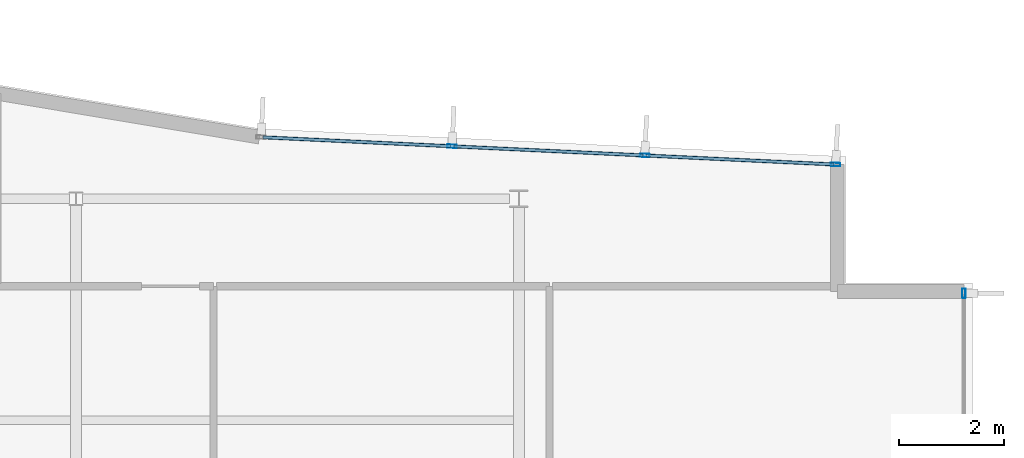
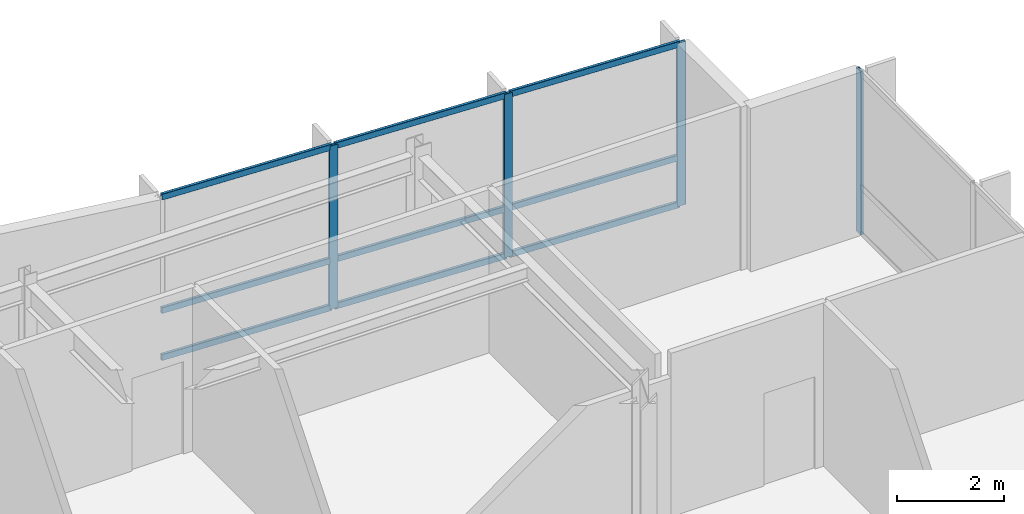
# One storey, part 9 of 16: 13 members, 2 elements without a shape of their own.
"""IFC4 building model written with IfcOpenShell, lengths in metres."""

from ifc_helpers import new_model, si_unit, direction, frame, origin, origin_2d, place, context, subcontext, project, spatial, hollow_rectangle, extrude, material, layer, layer_set, material_profile, profile_set, type_object, element, aggregate, save


model = new_model("IFC4")

# Units and contexts
model_context = context("Model", 3, precision=1e-05, world=origin(), true_north=direction((0.0, 1.0)))
body_context = subcontext(model_context, "Body", "Model", "MODEL_VIEW")
ifc_project = project(units=[si_unit("LENGTHUNIT", "METRE"), si_unit("AREAUNIT", "SQUARE_METRE"), si_unit("VOLUMEUNIT", "CUBIC_METRE"), si_unit("PLANEANGLEUNIT", "RADIAN"), si_unit("MASSUNIT", "GRAM", prefix="KILO")], contexts=[model_context])

# Site, building, storey
site_placement = place(None, origin())
site = spatial("IfcSite", under=ifc_project, at=site_placement, CompositionType="ELEMENT")
building_placement = place(site_placement, origin())
building = spatial("IfcBuilding", under=site, at=building_placement, Name="Varnakote Quay Hospital", CompositionType="ELEMENT")
storey_placement = place(building_placement, frame((0.0, 0.0, 268.39990234375)))
storey = spatial("IfcBuildingStorey", under=building, at=storey_placement, Name="L66", CompositionType="ELEMENT", Elevation=268.39990234375)

# Curtain wall, member
ifc_material_1 = material(Name="Anodised aluminium 6063-T6 Bronze", Category="aluminium")
ifc_layer = layer(ifc_material_1, 0.235107421875)
ifc_layer_set = layer_set([ifc_layer], Name="Anodised aluminium 6063-T6 Bronze")
curtain_wall_type = type_object("IfcCurtainWallType", Name="CW-SYS-5", PredefinedType="NOTDEFINED", material=ifc_layer_set)
curtain_wall_1_placement = place(storey_placement, origin())
curtain_wall_1 = element("IfcCurtainWall", 1, at=curtain_wall_1_placement, inside=storey, type_object=curtain_wall_type, Name="L66 Unitised Bronze Curtain Wall 1", PredefinedType="NOTDEFINED")
ifc_material_2 = material(Name="Anodised aluminium 6063-T6 Bronze", Category="aluminium")
ifc_material_profile_1 = material_profile(ifc_material_2, hollow_rectangle(XDim=0.06494140625, YDim=0.179931640625, WallThickness=0.00390625, InnerFilletRadius=0.00390625, OuterFilletRadius=0.008056640625, at=origin_2d()), Name="CW-MULL-180x65")
ifc_profile_set_1 = profile_set([ifc_material_profile_1], Name="Anodised aluminium 6063-T6 Bronze")
member_type_1 = type_object("IfcMemberType", Name="CW-MULL-180x65", PredefinedType="MULLION", material=ifc_profile_set_1)
member_1_placement = place(storey_placement, frame((42.0400390625, 27.007568359375, 0.0), z_axis=(0.0, 0.0, 1.0), x_axis=(-1.0, 0.0, 0.0)))
member_1 = element("IfcMember", 2, at=member_1_placement, type_object=member_type_1, Name="-5-L66-1 mullion 6", PredefinedType="MULLION", context=body_context, shape_type="SweptSolid", body=[
    extrude(hollow_rectangle(XDim=0.06494140625, YDim=0.179931640625, WallThickness=0.00390625, InnerFilletRadius=0.00390625, OuterFilletRadius=0.008056640625, at=origin_2d()), origin(), (0.0, 0.0, 1.0), 3.710205078125),
])
aggregate(curtain_wall_1, [member_1])

# Curtain wall, members
curtain_wall_2_placement = place(storey_placement, origin())
curtain_wall_2 = element("IfcCurtainWall", 3, at=curtain_wall_2_placement, inside=storey, type_object=curtain_wall_type, Name="L66 Unitised Bronze Curtain Wall 2", PredefinedType="NOTDEFINED")
member_2_placement = place(storey_placement, frame((39.607421875, 29.448974609375, 0.0), z_axis=(0.0, 0.0, 1.0), x_axis=(-0.04749674026, -0.998871392955, 0.0)))
member_2 = element("IfcMember", 4, at=member_2_placement, type_object=member_type_1, Name="-5-L66-2 mullion 1", PredefinedType="MULLION", context=body_context, shape_type="SweptSolid", body=[
    extrude(hollow_rectangle(XDim=0.06494140625, YDim=0.179931640625, WallThickness=0.00390625, InnerFilletRadius=0.00390625, OuterFilletRadius=0.008056640625, at=origin_2d()), origin(), (0.0, 0.0, 1.0), 3.710205078125),
])
member_3_placement = place(storey_placement, frame((35.986328125, 29.62109375, 0.0), z_axis=(0.0, 0.0, 1.0), x_axis=(-0.04749674026, -0.998871392955, 0.0)))
member_3 = element("IfcMember", 5, at=member_3_placement, type_object=member_type_1, Name="-5-L66-2 mullion 2", PredefinedType="MULLION", context=body_context, shape_type="SweptSolid", body=[
    extrude(hollow_rectangle(XDim=0.06494140625, YDim=0.179931640625, WallThickness=0.00390625, InnerFilletRadius=0.00390625, OuterFilletRadius=0.008056640625, at=origin_2d()), origin(), (0.0, 0.0, 1.0), 3.710205078125),
])
member_4_placement = place(storey_placement, frame((32.332763671875, 29.794921875, 0.0), z_axis=(0.0, 0.0, 1.0), x_axis=(-0.04749674026, -0.998871392955, 0.0)))
member_4 = element("IfcMember", 6, at=member_4_placement, type_object=member_type_1, Name="-5-L66-2 mullion 3", PredefinedType="MULLION", context=body_context, shape_type="SweptSolid", body=[
    extrude(hollow_rectangle(XDim=0.06494140625, YDim=0.179931640625, WallThickness=0.00390625, InnerFilletRadius=0.00390625, OuterFilletRadius=0.008056640625, at=origin_2d()), origin(), (0.0, 0.0, 1.0), 3.710205078125),
])
ifc_material_3 = material(Name="Anodised aluminium 6063-T6 Bronze", Category="aluminium")
ifc_material_profile_2 = material_profile(ifc_material_3, hollow_rectangle(XDim=0.06494140625, YDim=0.139892578125, WallThickness=0.00390625, InnerFilletRadius=0.00390625, OuterFilletRadius=0.007568359375, at=origin_2d()), Name="CW-TRAN-140x65")
ifc_profile_set_2 = profile_set([ifc_material_profile_2], Name="Anodised aluminium 6063-T6 Bronze")
member_type_2 = type_object("IfcMemberType", Name="CW-TRAN-140x65", PredefinedType="USERDEFINED", material=ifc_profile_set_2)
member_5_placement = place(storey_placement, frame((39.5751953125, 29.450439453125, 0.03271484375), z_axis=(-0.998870308608, 0.047519538949, 0.0), x_axis=(-0.047519538949, -0.998870308608, 0.0)))
member_5 = element("IfcMember", 7, at=member_5_placement, type_object=member_type_2, Name="-5-L66-2 transom 1.1", ObjectType="TRANSOM", PredefinedType="USERDEFINED", context=body_context, shape_type="SweptSolid", body=[
    extrude(hollow_rectangle(XDim=0.06494140625, YDim=0.139892578125, WallThickness=0.00390625, InnerFilletRadius=0.00390625, OuterFilletRadius=0.007568359375, at=origin_2d()), origin(), (0.0, 0.0, 1.0), 3.560302734375),
])
member_6_placement = place(storey_placement, frame((39.5751953125, 29.450439453125, 1.10009765625), z_axis=(-0.998870308608, 0.047519538949, 0.0), x_axis=(-0.047519538949, -0.998870308608, 0.0)))
member_6 = element("IfcMember", 8, at=member_6_placement, type_object=member_type_2, Name="-5-L66-2 transom 1.2", ObjectType="TRANSOM", PredefinedType="USERDEFINED", context=body_context, shape_type="SweptSolid", body=[
    extrude(hollow_rectangle(XDim=0.06494140625, YDim=0.139892578125, WallThickness=0.00390625, InnerFilletRadius=0.00390625, OuterFilletRadius=0.007568359375, at=origin_2d()), origin(), (0.0, 0.0, 1.0), 3.560302734375),
])
member_7_placement = place(storey_placement, frame((39.5751953125, 29.450439453125, 3.677490234375), z_axis=(-0.998870308608, 0.047519538949, 0.0), x_axis=(-0.047519538949, -0.998870308608, 0.0)))
member_7 = element("IfcMember", 9, at=member_7_placement, type_object=member_type_2, Name="-5-L66-2 transom 1.3", ObjectType="TRANSOM", PredefinedType="USERDEFINED", context=body_context, shape_type="SweptSolid", body=[
    extrude(hollow_rectangle(XDim=0.06494140625, YDim=0.139892578125, WallThickness=0.00390625, InnerFilletRadius=0.00390625, OuterFilletRadius=0.007568359375, at=origin_2d()), origin(), (0.0, 0.0, 1.0), 3.560302734375),
])
member_8_placement = place(storey_placement, frame((35.953857421875, 29.62255859375, 0.03271484375), z_axis=(-0.998871210526, 0.047500576649, 0.0), x_axis=(-0.047500576649, -0.998871210526, 0.0)))
member_8 = element("IfcMember", 10, at=member_8_placement, type_object=member_type_2, Name="-5-L66-2 transom 2.1", ObjectType="TRANSOM", PredefinedType="USERDEFINED", context=body_context, shape_type="SweptSolid", body=[
    extrude(hollow_rectangle(XDim=0.06494140625, YDim=0.139892578125, WallThickness=0.00390625, InnerFilletRadius=0.00390625, OuterFilletRadius=0.007568359375, at=origin_2d()), origin(), (0.0, 0.0, 1.0), 3.5927734375),
])
member_9_placement = place(storey_placement, frame((35.953857421875, 29.62255859375, 1.10009765625), z_axis=(-0.998871210526, 0.047500576649, 0.0), x_axis=(-0.047500576649, -0.998871210526, 0.0)))
member_9 = element("IfcMember", 11, at=member_9_placement, type_object=member_type_2, Name="-5-L66-2 transom 2.2", ObjectType="TRANSOM", PredefinedType="USERDEFINED", context=body_context, shape_type="SweptSolid", body=[
    extrude(hollow_rectangle(XDim=0.06494140625, YDim=0.139892578125, WallThickness=0.00390625, InnerFilletRadius=0.00390625, OuterFilletRadius=0.007568359375, at=origin_2d()), origin(), (0.0, 0.0, 1.0), 3.5927734375),
])
member_10_placement = place(storey_placement, frame((35.953857421875, 29.62255859375, 3.677490234375), z_axis=(-0.998871210526, 0.047500576649, 0.0), x_axis=(-0.047500576649, -0.998871210526, 0.0)))
member_10 = element("IfcMember", 12, at=member_10_placement, type_object=member_type_2, Name="-5-L66-2 transom 2.3", ObjectType="TRANSOM", PredefinedType="USERDEFINED", context=body_context, shape_type="SweptSolid", body=[
    extrude(hollow_rectangle(XDim=0.06494140625, YDim=0.139892578125, WallThickness=0.00390625, InnerFilletRadius=0.00390625, OuterFilletRadius=0.007568359375, at=origin_2d()), origin(), (0.0, 0.0, 1.0), 3.5927734375),
])
member_11_placement = place(storey_placement, frame((32.30029296875, 29.79638671875, 0.03271484375), z_axis=(-0.998870308608, 0.047519538949, 0.0), x_axis=(-0.047519538949, -0.998870308608, 0.0)))
member_11 = element("IfcMember", 13, at=member_11_placement, type_object=member_type_2, Name="-5-L66-2 transom 3.1", ObjectType="TRANSOM", PredefinedType="USERDEFINED", context=body_context, shape_type="SweptSolid", body=[
    extrude(hollow_rectangle(XDim=0.06494140625, YDim=0.139892578125, WallThickness=0.00390625, InnerFilletRadius=0.00390625, OuterFilletRadius=0.007568359375, at=origin_2d()), origin(), (0.0, 0.0, 1.0), 3.560302734375),
])
member_12_placement = place(storey_placement, frame((32.30029296875, 29.79638671875, 1.10009765625), z_axis=(-0.998870308608, 0.047519538949, 0.0), x_axis=(-0.047519538949, -0.998870308608, 0.0)))
member_12 = element("IfcMember", 14, at=member_12_placement, type_object=member_type_2, Name="-5-L66-2 transom 3.2", ObjectType="TRANSOM", PredefinedType="USERDEFINED", context=body_context, shape_type="SweptSolid", body=[
    extrude(hollow_rectangle(XDim=0.06494140625, YDim=0.139892578125, WallThickness=0.00390625, InnerFilletRadius=0.00390625, OuterFilletRadius=0.007568359375, at=origin_2d()), origin(), (0.0, 0.0, 1.0), 3.560302734375),
])
member_13_placement = place(storey_placement, frame((32.30029296875, 29.79638671875, 3.677490234375), z_axis=(-0.998870308608, 0.047519538949, 0.0), x_axis=(-0.047519538949, -0.998870308608, 0.0)))
member_13 = element("IfcMember", 15, at=member_13_placement, type_object=member_type_2, Name="-5-L66-2 transom 3.3", ObjectType="TRANSOM", PredefinedType="USERDEFINED", context=body_context, shape_type="SweptSolid", body=[
    extrude(hollow_rectangle(XDim=0.06494140625, YDim=0.139892578125, WallThickness=0.00390625, InnerFilletRadius=0.00390625, OuterFilletRadius=0.007568359375, at=origin_2d()), origin(), (0.0, 0.0, 1.0), 3.560302734375),
])
aggregate(curtain_wall_2, [member_2, member_3, member_4, member_5, member_6, member_7, member_8, member_9, member_10, member_11, member_12, member_13])

save(model, "model.ifc")
